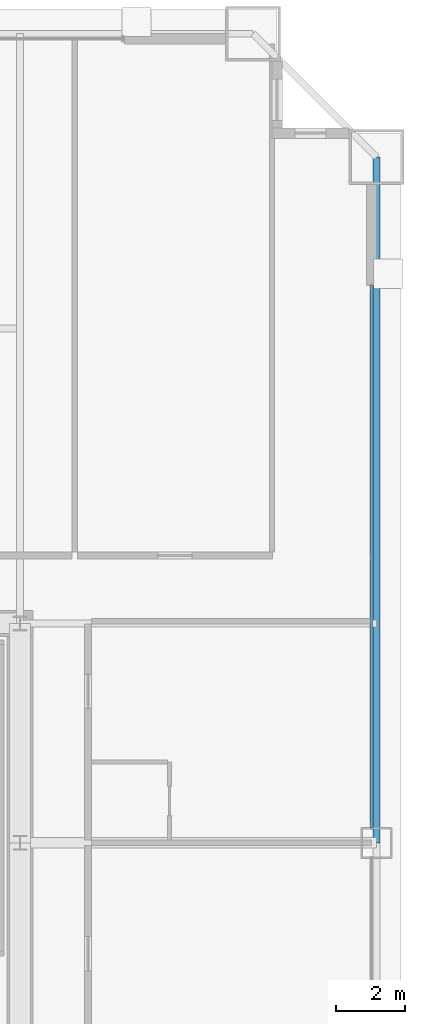
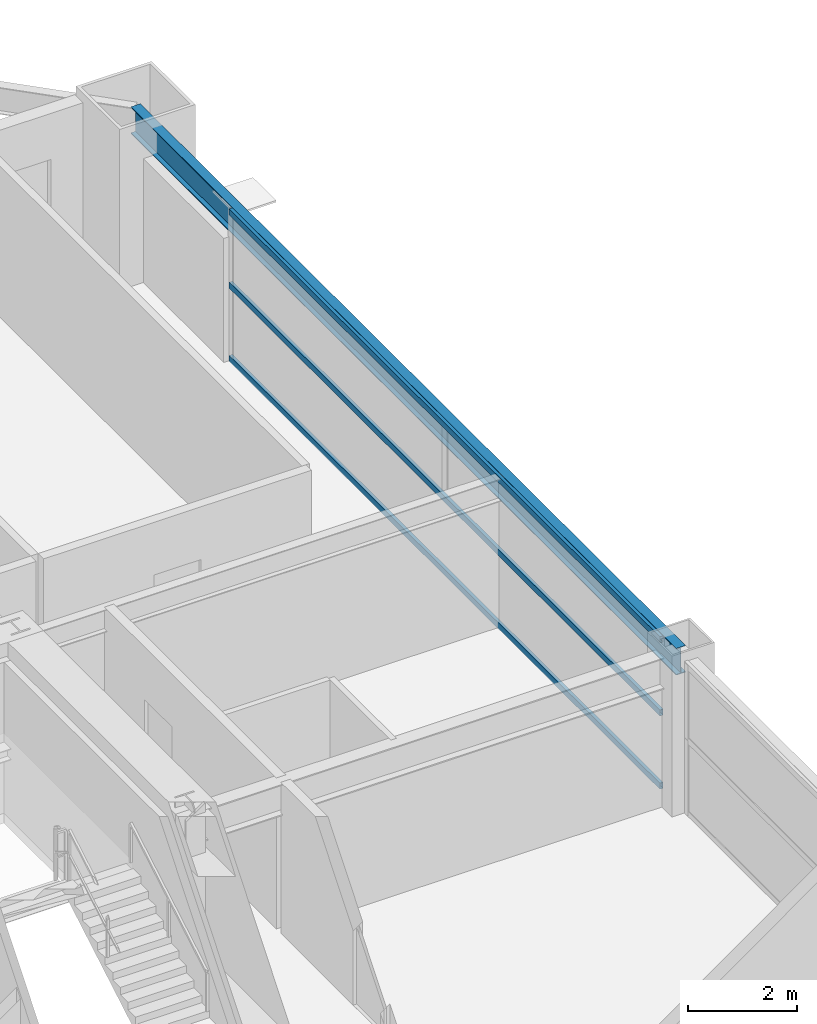
# One storey, part 29 of 38: 3 members, 1 beam, 1 element without a shape of its own.
"""IFC4 building model written with IfcOpenShell, lengths in metres."""

from ifc_helpers import new_model, si_unit, direction, frame, origin, origin_2d, place, context, subcontext, project, spatial, hollow_rectangle, i_section, extrude, source, transform, mapped, material, layer, layer_set, material_profile, profile_set, type_object, element, aggregate, save


model = new_model("IFC4")

# Units and contexts
model_context = context("Model", 3, precision=1e-05, world=origin(), true_north=direction((0.0, 1.0)))
body_context = subcontext(model_context, "Body", "Model", "MODEL_VIEW")
ifc_project = project(units=[si_unit("LENGTHUNIT", "METRE"), si_unit("AREAUNIT", "SQUARE_METRE"), si_unit("VOLUMEUNIT", "CUBIC_METRE"), si_unit("PLANEANGLEUNIT", "RADIAN"), si_unit("MASSUNIT", "GRAM", prefix="KILO"), si_unit("THERMODYNAMICTEMPERATUREUNIT", "KELVIN"), si_unit("POWERUNIT", "WATT")], contexts=[model_context])

# Site, building, storey
site_placement = place(None, origin())
site = spatial("IfcSite", under=ifc_project, at=site_placement, CompositionType="ELEMENT")
building_placement = place(site_placement, origin())
building = spatial("IfcBuilding", under=site, at=building_placement, Name="Yuzanri Waterfront Tower", CompositionType="ELEMENT")
storey_placement = place(building_placement, frame((0.0, 0.0, 90.199951171875)))
storey = spatial("IfcBuildingStorey", under=building, at=storey_placement, Name="L23", CompositionType="ELEMENT", Elevation=90.199951171875)

# Beam
ifc_material_1 = material(Name="Steel Q355B", Category="steel")
ifc_material_profile_1 = material_profile(ifc_material_1, i_section(OverallWidth=0.199951171875, OverallDepth=0.60009765625, WebThickness=0.010986328125, FlangeThickness=0.01708984375, at=origin_2d()), Name="HN 600x200x11x17")
ifc_profile_set_1 = profile_set([ifc_material_profile_1], Name="Steel Q355B")
beam_type = type_object("IfcBeamType", Name="Perimeter Spandrel Q355B HN 600x200", PredefinedType="SPANDREL", material=ifc_profile_set_1)
shared_shape_1 = source(origin(), body_context, "Body", "SweptSolid", [
    extrude(i_section(OverallWidth=0.199951171875, OverallDepth=0.60009765625, WebThickness=0.010986328125, FlangeThickness=0.01708984375, at=origin_2d()), origin(), (0.0, 0.0, 1.0), 20.0),
])
beam_placement = place(storey_placement, frame((60.60009765625, 25.800048828125, 3.080078125), z_axis=(0.0, 1.0, 0.0), x_axis=(-1.0, 0.0, 0.0)))
element("IfcBeam", 1, at=beam_placement, inside=storey, type_object=beam_type, Name="L23 Perimeter Spandrel E2-E3", PredefinedType="SPANDREL", context=body_context, shape_type="MappedRepresentation", body=[
    mapped(shared_shape_1, transform((0.0, 0.0, 0.0), scale=1.0)),
])

# Curtain wall, members
ifc_material_2 = material(Name="Anodized Architectural Bronze", Category="metal")
ifc_layer = layer(ifc_material_2, 0.159912109375)
ifc_layer_set = layer_set([ifc_layer], Name="Anodized Architectural Bronze")
curtain_wall_type = type_object("IfcCurtainWallType", Name="Anodized Bronze Hotel Upper-Tier Solar-Control Unitized Curtain Wall 7800", PredefinedType="NOTDEFINED", material=ifc_layer_set)
curtain_wall_placement = place(storey_placement, origin())
curtain_wall = element("IfcCurtainWall", 2, at=curtain_wall_placement, inside=storey, type_object=curtain_wall_type, Name="L23 Curtain Wall CW-L23-ER", PredefinedType="NOTDEFINED")
ifc_material_3 = material(Name="Anodized Architectural Bronze", Category="metal")
ifc_material_profile_2 = material_profile(ifc_material_3, hollow_rectangle(XDim=0.070068359375, YDim=0.135009765625, WallThickness=0.00341796875, at=origin_2d()), Name="CWT 70x135")
ifc_profile_set_2 = profile_set([ifc_material_profile_2], Name="Anodized Architectural Bronze")
member_type = type_object("IfcMemberType", Name="Anodized Bronze Standard Curtain-Wall Transom 70x135", PredefinedType="USERDEFINED", material=ifc_profile_set_2)
shared_shape_2 = source(origin(), body_context, "Body", "SweptSolid", [
    extrude(hollow_rectangle(XDim=0.070068359375, YDim=0.135009765625, WallThickness=0.00341796875, at=origin_2d()), origin(), (0.0, 0.0, 1.0), 15.800048828125),
])
member_1_placement = place(storey_placement, frame((60.449951171875, 26.25, 0.050048828125), z_axis=(0.0, 1.0, 0.0), x_axis=(-1.0, 0.0, 0.0)))
member_1 = element("IfcMember", 3, at=member_1_placement, type_object=member_type, Name="CW-L23-ER Transom 1", ObjectType="TRANSOM", PredefinedType="USERDEFINED", context=body_context, shape_type="MappedRepresentation", body=[
    mapped(shared_shape_2, transform((0.0, 0.0, 0.0), scale=1.0)),
])
member_2_placement = place(storey_placement, frame((60.449951171875, 26.25, 1.68994140625), z_axis=(0.0, 1.0, 0.0), x_axis=(-1.0, 0.0, 0.0)))
member_2 = element("IfcMember", 4, at=member_2_placement, type_object=member_type, Name="CW-L23-ER Transom 2", ObjectType="TRANSOM", PredefinedType="USERDEFINED", context=body_context, shape_type="MappedRepresentation", body=[
    mapped(shared_shape_2, transform((0.0, 0.0, 0.0), scale=1.0)),
])
member_3_placement = place(storey_placement, frame((60.449951171875, 26.25, 3.330078125), z_axis=(0.0, 1.0, 0.0), x_axis=(-1.0, 0.0, 0.0)))
member_3 = element("IfcMember", 5, at=member_3_placement, type_object=member_type, Name="CW-L23-ER Transom 3", ObjectType="TRANSOM", PredefinedType="USERDEFINED", context=body_context, shape_type="MappedRepresentation", body=[
    mapped(shared_shape_2, transform((0.0, 0.0, 0.0), scale=1.0)),
])
aggregate(curtain_wall, [member_1, member_2, member_3])

save(model, "model.ifc")
